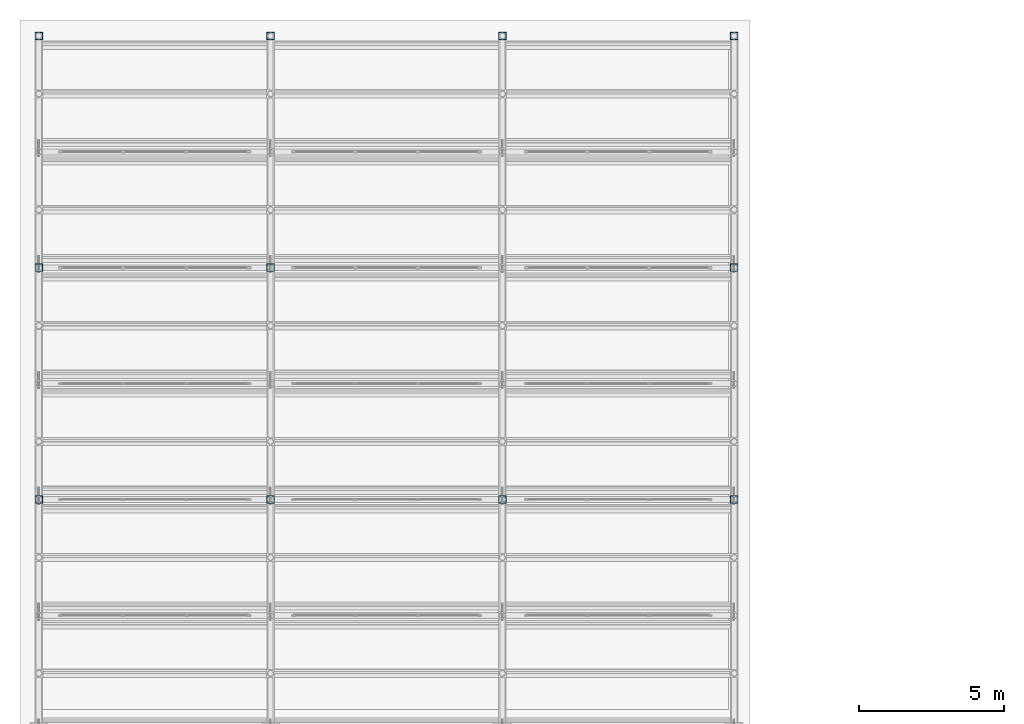
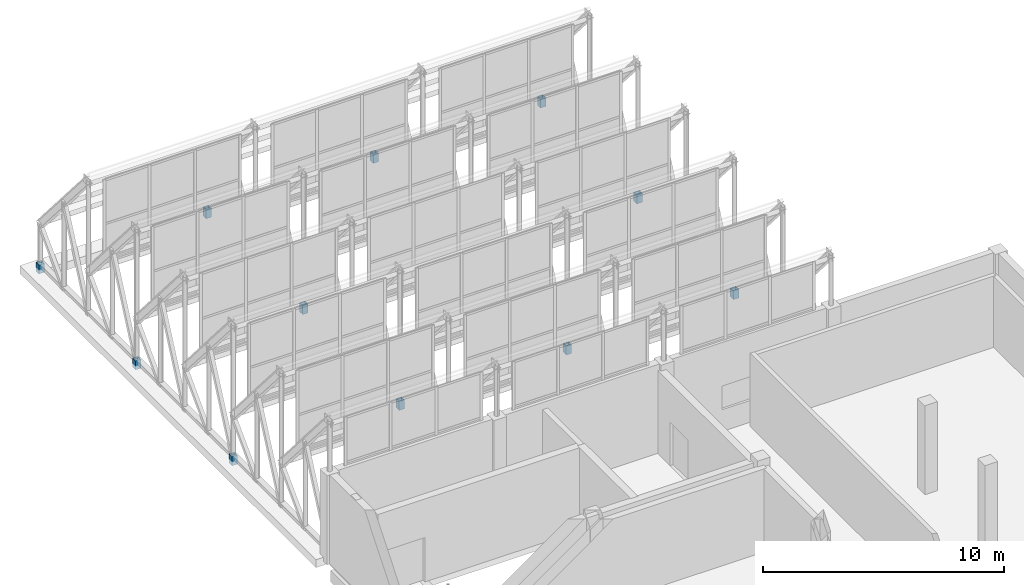
# One storey, part 7 of 43: 11 columns.
"""IFC4 building model written with IfcOpenShell, lengths in metres."""

from ifc_helpers import new_model, si_unit, direction, frame, origin, origin_2d, place, context, subcontext, project, spatial, hollow_rectangle, extrude, material, material_profile, profile_set, type_object, element, save


model = new_model("IFC4")

# Units and contexts
model_context = context("Model", 3, precision=1e-05, world=origin(), true_north=direction((0.0, 1.0)))
body_context = subcontext(model_context, "Body", "Model", "MODEL_VIEW")
ifc_project = project(units=[si_unit("LENGTHUNIT", "METRE"), si_unit("AREAUNIT", "SQUARE_METRE"), si_unit("VOLUMEUNIT", "CUBIC_METRE"), si_unit("PLANEANGLEUNIT", "RADIAN"), si_unit("MASSUNIT", "GRAM", prefix="KILO")], contexts=[model_context])

# Site, building, storey
site_placement = place(None, origin())
site = spatial("IfcSite", under=ifc_project, at=site_placement, CompositionType="ELEMENT")
building_placement = place(site_placement, origin())
building = spatial("IfcBuilding", under=site, at=building_placement, Name="Qorikala Patio Media Centre", CompositionType="ELEMENT")
storey_placement = place(building_placement, frame((0.0, 0.0, 18.89990234375)))
storey = spatial("IfcBuildingStorey", under=building, at=storey_placement, Name="L04", CompositionType="ELEMENT", Elevation=18.89990234375)

# Columns
ifc_material = material(Name="Steel S355", Category="steel")
ifc_material_profile = material_profile(ifc_material, hollow_rectangle(XDim=0.260009765625, YDim=0.260009765625, WallThickness=0.011962890625, at=origin_2d()), Name="HSS260X260X12")
ifc_profile_set = profile_set([ifc_material_profile], Name="Steel S355")
column_type = type_object("IfcColumnType", Name="SCOL-HSS260X260X12", PredefinedType="COLUMN", material=ifc_profile_set)
for number, where, z_axis, x_axis, name in (
    (1, (3.0, 80.0, 0.0), (0.0, 0.0, 1.0), (1.0, 0.0, 0.0), "SAW-V4 Truss Bearing Pedestal (3,80)"),
    (2, (3.0, 88.0, 0.0), (0.0, 0.0, 1.0), (1.0, 0.0, 0.0), "SAW-V4 Truss Bearing Pedestal (3,88)"),
    (3, (3.0, 96.0, 0.0), (0.0, 0.0, 1.0), (1.0, 0.0, 0.0), "SAW-V4 Truss Bearing Pedestal (3,96)"),
    (4, (11.0, 80.0, 0.0), (0.0, 0.0, 1.0), (1.0, 0.0, 0.0), "SAW-V4 Truss Bearing Pedestal (11,80)"),
    (5, (11.0, 88.0, 0.0), (0.0, 0.0, 1.0), (1.0, 0.0, 0.0), "SAW-V4 Truss Bearing Pedestal (11,88)"),
    (6, (11.0, 96.0, 0.0), (0.0, 0.0, 1.0), (1.0, 0.0, 0.0), "SAW-V4 Truss Bearing Pedestal (11,96)"),
    (7, (19.0, 80.0, 0.0), (0.0, 0.0, 1.0), (1.0, 0.0, 0.0), "SAW-V4 Truss Bearing Pedestal (19,80)"),
    (8, (19.0, 96.0, 0.0), (0.0, 0.0, 1.0), (1.0, 0.0, 0.0), "SAW-V4 Truss Bearing Pedestal (19,96)"),
    (9, (27.0, 80.0, 0.0), (0.0, 0.0, 1.0), (1.0, 0.0, 0.0), "SAW-V4 Truss Bearing Pedestal (27,80)"),
    (10, (27.0, 88.0, 0.0), (0.0, 0.0, 1.0), (1.0, 0.0, 0.0), "SAW-V4 Truss Bearing Pedestal (27,88)"),
    (11, (27.0, 96.0, 0.0), (0.0, 0.0, 1.0), (1.0, 0.0, 0.0), "SAW-V4 Truss Bearing Pedestal (27,96)"),
):
    element("IfcColumn", number, at=place(storey_placement, frame(where, z_axis=z_axis, x_axis=x_axis)), inside=storey, type_object=column_type, Name=name, PredefinedType="COLUMN", context=body_context, shape_type="SweptSolid", body=[
        extrude(hollow_rectangle(XDim=0.260009765625, YDim=0.260009765625, WallThickness=0.011962890625, at=origin_2d()), origin(), (0.0, 0.0, 1.0), 0.4501953125),
    ])

save(model, "model.ifc")
